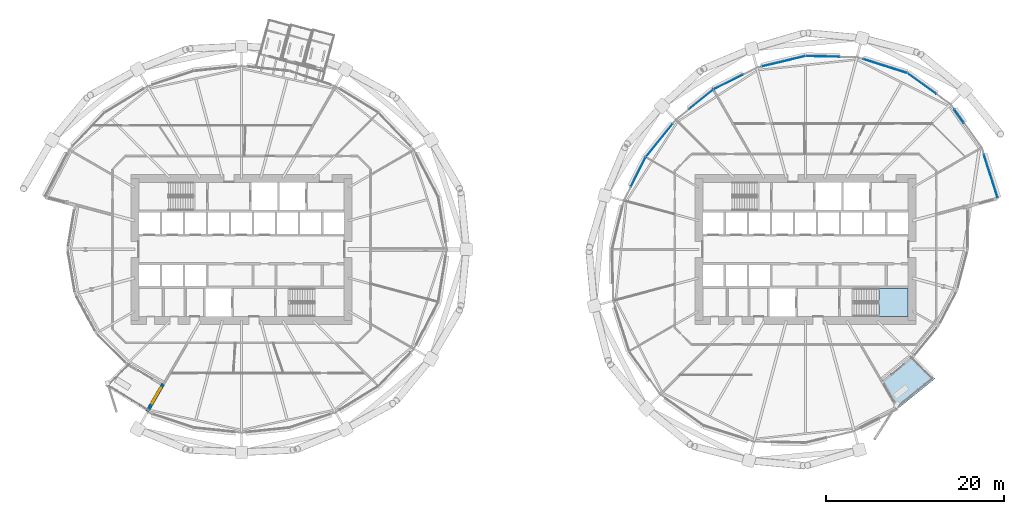
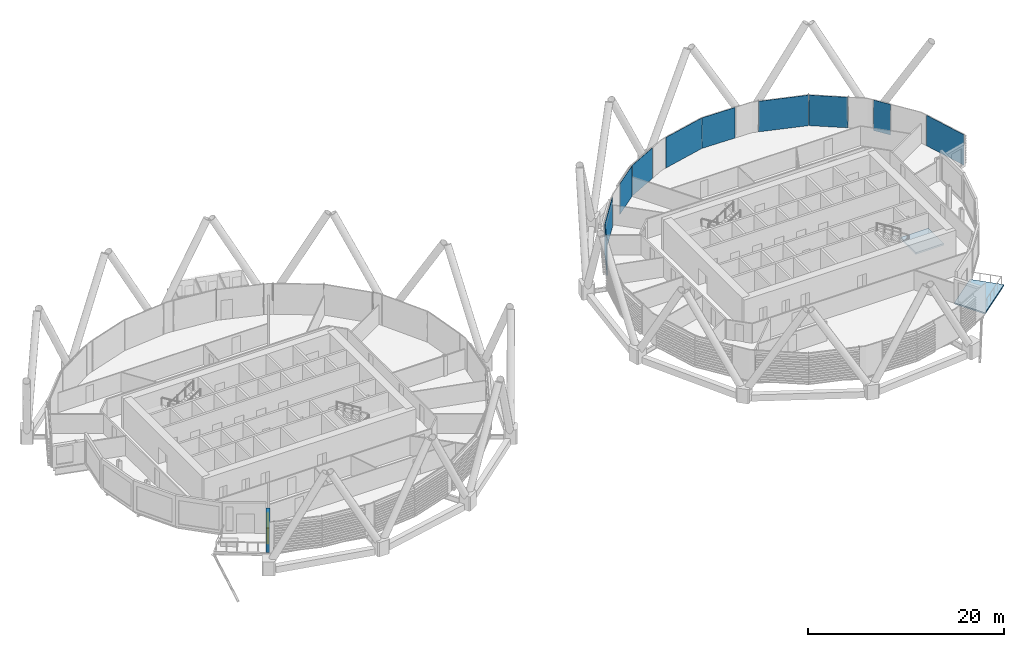
# One storey, part 23 of 40: 10 plates, 2 slabs, 1 wall, 1 window, 1 opening, 2 elements without a shape of their own.
"""IFC4 building model written with IfcOpenShell, lengths in metres."""

from ifc_helpers import new_model, si_unit, direction, frame, frame_2d, origin, origin_2d, place, context, subcontext, project, spatial, polyline, rectangle, outline, extrude, material, layer, layer_set, type_object, element, fill, aggregate, save


model = new_model("IFC4")

# Units and contexts
model_context = context("Model", 3, precision=1e-05, world=origin(), true_north=direction((0.0, 1.0)))
body_context = subcontext(model_context, "Body", "Model", "MODEL_VIEW")
ifc_project = project(units=[si_unit("LENGTHUNIT", "METRE"), si_unit("AREAUNIT", "SQUARE_METRE"), si_unit("VOLUMEUNIT", "CUBIC_METRE"), si_unit("PLANEANGLEUNIT", "RADIAN"), si_unit("MASSUNIT", "GRAM", prefix="KILO")], contexts=[model_context])

# Site, building, storey
site_placement = place(None, origin())
site = spatial("IfcSite", under=ifc_project, at=site_placement, CompositionType="ELEMENT")
building_placement = place(site_placement, origin())
building = spatial("IfcBuilding", under=site, at=building_placement, Name="Rimbun Link Towers", CompositionType="ELEMENT")
storey_placement = place(building_placement, frame((0.0, 0.0, 52.800048828125)))
storey = spatial("IfcBuildingStorey", under=building, at=storey_placement, Name="L12", CompositionType="ELEMENT", Elevation=52.800048828125)

# Curtain wall, plates
ifc_material_1 = material(Name="Aluminium 6063-T6 and low-iron glass", Category="aluminium")
curtain_wall_type = type_object("IfcCurtainWallType", Name="CW1 unitised vision wall", PredefinedType="NOTDEFINED", material=ifc_material_1)
curtain_wall_placement = place(storey_placement, origin())
curtain_wall = element("IfcCurtainWall", 1, at=curtain_wall_placement, inside=storey, type_object=curtain_wall_type, Name="CW1 L12 T2", PredefinedType="NOTDEFINED")
ifc_material_2 = material(Name="Low-iron glass, laminated low-e unit", Category="glass")
ifc_layer_1 = layer(ifc_material_2, 0.028076171875)
ifc_layer_set_1 = layer_set([ifc_layer_1], Name="CW1 panel Low-iron glass 28")
plate_type = type_object("IfcPlateType", Name="CW1 panel Low-iron glass 28", PredefinedType="CURTAIN_PANEL", material=ifc_layer_set_1)
plate_1_placement = place(storey_placement, frame((44.842041015625, 18.642578125, 0.0), z_axis=(0.0, 0.0, 1.0), x_axis=(0.812469264421, -0.583004026034, 0.0)))
plate_1 = element("IfcPlate", 2, at=plate_1_placement, type_object=plate_type, Name="CW1 panel", PredefinedType="CURTAIN_PANEL", context=body_context, shape_type="SweptSolid", body=[
    extrude(rectangle(XDim=4.010498046875, YDim=0.028076171875, at=origin_2d()), origin(), (0.0, 0.0, 1.0), 3.800048828125),
])
plate_2_placement = place(storey_placement, frame((40.701904296875, 20.617431640625, 0.0), z_axis=(0.0, 0.0, 1.0), x_axis=(0.952967205153, -0.303073433186, 0.0)))
plate_2 = element("IfcPlate", 3, at=plate_2_placement, type_object=plate_type, Name="CW1 panel", PredefinedType="CURTAIN_PANEL", context=body_context, shape_type="SweptSolid", body=[
    extrude(rectangle(XDim=5.187255859375, YDim=0.028076171875, at=origin_2d()), origin(), (0.0, 0.0, 1.0), 3.800048828125),
])
plate_3_placement = place(storey_placement, frame((33.695556640625, 21.703369140625, 0.0), z_axis=(0.0, 0.0, 1.0), x_axis=(0.999778076675, -0.02106649948, 0.0)))
plate_3 = element("IfcPlate", 4, at=plate_3_placement, type_object=plate_type, Name="CW1 panel", PredefinedType="CURTAIN_PANEL", context=body_context, shape_type="SweptSolid", body=[
    extrude(rectangle(XDim=3.85107421875, YDim=0.028076171875, at=origin_2d()), origin(), (0.0, 0.0, 1.0), 3.800048828125),
])
plate_4_placement = place(storey_placement, frame((29.2783203125, 21.153564453125, 0.0), z_axis=(0.0, 0.0, 1.0), x_axis=(0.972571724543, 0.232603182737, 0.0)))
plate_4 = element("IfcPlate", 5, at=plate_4_placement, type_object=plate_type, Name="CW1 panel", PredefinedType="CURTAIN_PANEL", context=body_context, shape_type="SweptSolid", body=[
    extrude(rectangle(XDim=5.036376953125, YDim=0.028076171875, at=origin_2d()), origin(), (0.0, 0.0, 1.0), 3.800048828125),
])
plate_5_placement = place(storey_placement, frame((23.06298828125, 18.82275390625, 0.0), z_axis=(0.0, 0.0, 1.0), x_axis=(0.893637652343, 0.448789200311, 0.0)))
plate_5 = element("IfcPlate", 6, at=plate_5_placement, type_object=plate_type, Name="CW1 panel", PredefinedType="CURTAIN_PANEL", context=body_context, shape_type="SweptSolid", body=[
    extrude(rectangle(XDim=3.7412109375, YDim=0.028076171875, at=origin_2d()), origin(), (0.0, 0.0, 1.0), 3.800048828125),
])
plate_6_placement = place(storey_placement, frame((20.01171875, 16.872314453125, 0.0), z_axis=(0.0, 0.0, 1.0), x_axis=(0.777277227517, 0.62915825639, 0.0)))
plate_6 = element("IfcPlate", 7, at=plate_6_placement, type_object=plate_type, Name="CW1 panel", PredefinedType="CURTAIN_PANEL", context=body_context, shape_type="SweptSolid", body=[
    extrude(rectangle(XDim=3.457763671875, YDim=0.028076171875, at=origin_2d()), origin(), (0.0, 0.0, 1.0), 3.800048828125),
])
plate_7_placement = place(storey_placement, frame((15.28662109375, 12.24365234375, 0.0), z_axis=(0.0, 0.0, 1.0), x_axis=(0.62915825639, 0.777277227517, 0.0)))
plate_7 = element("IfcPlate", 8, at=plate_7_placement, type_object=plate_type, Name="CW1 panel", PredefinedType="CURTAIN_PANEL", context=body_context, shape_type="SweptSolid", body=[
    extrude(rectangle(XDim=4.757568359375, YDim=0.028076171875, at=origin_2d()), origin(), (0.0, 0.0, 1.0), 3.800048828125),
])
plate_8_placement = place(storey_placement, frame((12.9384765625, 8.709228515625, 0.0), z_axis=(0.0, 0.0, 1.0), x_axis=(0.448789200311, 0.893637652343, 0.0)))
plate_8 = element("IfcPlate", 9, at=plate_8_placement, type_object=plate_type, Name="CW1 panel", PredefinedType="CURTAIN_PANEL", context=body_context, shape_type="SweptSolid", body=[
    extrude(rectangle(XDim=3.691162109375, YDim=0.028076171875, at=origin_2d()), origin(), (0.0, 0.0, 1.0), 3.800048828125),
])
plate_9_placement = place(storey_placement, frame((52.587158203125, 8.260986328125, 0.0), z_axis=(0.0, 0.0, 1.0), x_axis=(0.303073433186, -0.952967205153, 0.0)))
plate_9 = element("IfcPlate", 10, at=plate_9_placement, type_object=plate_type, Name="CW1 panel", PredefinedType="CURTAIN_PANEL", context=body_context, shape_type="SweptSolid", body=[
    extrude(rectangle(XDim=5.13720703125, YDim=0.028076171875, at=origin_2d()), origin(), (0.0, 0.0, 1.0), 3.800048828125),
])
plate_10_placement = place(storey_placement, frame((49.037109375, 14.98095703125, 0.0), z_axis=(0.0, 0.0, 1.0), x_axis=(0.583004026034, -0.812469264421, 0.0)))
plate_10 = element("IfcPlate", 11, at=plate_10_placement, type_object=plate_type, Name="CW1 panel", PredefinedType="CURTAIN_PANEL", context=body_context, shape_type="SweptSolid", body=[
    extrude(rectangle(XDim=1.8603515625, YDim=0.028076171875, at=origin_2d()), origin(), (0.0, 0.0, 1.0), 3.800048828125),
])
aggregate(curtain_wall, [plate_1, plate_2, plate_3, plate_4, plate_5, plate_6, plate_7, plate_8, plate_9, plate_10])

# Stair, slab
ifc_material_3 = material(Name="Concrete C40/50", Category="concrete")
stair_type = type_object("IfcStairType", Name="Exit stair 3800 rise", PredefinedType="HALF_TURN_STAIR", material=ifc_material_3)
stair_placement = place(storey_placement, origin())
stair = element("IfcStair", 12, at=stair_placement, inside=storey, type_object=stair_type, Name="L12 EXIT STAIR B", PredefinedType="HALF_TURN_STAIR")
ifc_material_4 = material(Name="Concrete C40/50", Category="concrete")
ifc_layer_2 = layer(ifc_material_4, 0.199951171875)
ifc_layer_set_2 = layer_set([ifc_layer_2], Name="Stair landing")
slab_type_1 = type_object("IfcSlabType", Name="Stair landing", PredefinedType="LANDING", material=ifc_layer_set_2)
slab_1_placement = place(storey_placement, frame((0.0, 0.0, 1.699951171875)))
slab_1 = element("IfcSlab", 13, at=slab_1_placement, type_object=slab_type_1, Name="ST4 landing 1", PredefinedType="LANDING", context=body_context, shape_type="SweptSolid", body=[
    extrude(outline(polyline([(40.0, -7.550048828125), (43.300048828125, -7.550048828125), (43.300048828125, -4.39990234375), (40.0, -4.39990234375), (40.0, -7.550048828125)])), origin(), (0.0, 0.0, 1.0), 0.199951171875),
])
aggregate(stair, [slab_1])

# Slab
ifc_material_5 = material(Name="Concrete C35/45", Category="concrete")
ifc_layer_3 = layer(ifc_material_5, 0.159912109375)
ifc_layer_set_3 = layer_set([ifc_layer_3], Name="TERRACE SLAB 160")
slab_type_2 = type_object("IfcSlabType", Name="TERRACE SLAB 160", PredefinedType="FLOOR", material=ifc_layer_set_3)
slab_2_placement = place(storey_placement, frame((0.0, 0.0, -0.16015625)))
element("IfcSlab", 14, at=slab_2_placement, inside=storey, type_object=slab_type_2, Name="Terrace slab T2 L12", PredefinedType="FLOOR", context=body_context, shape_type="SweptSolid", body=[
    extrude(outline(polyline([(40.3203125, -14.843994140625), (43.770263671875, -12.020263671875), (46.315673828125, -14.565673828125), (42.1201171875, -17.961669921875), (40.3203125, -14.843994140625)])), origin(), (0.0, 0.0, 1.0), 0.16015625),
])

# Wall, opening, window
ifc_material_6 = material(Name="Dark enamelled glass spandrel on insulated aluminium backpan", Category="aluminium")
ifc_layer_4 = layer(ifc_material_6, 0.3701171875)
ifc_layer_set_4 = layer_set([ifc_layer_4], Name="CS dark enamelled spandrel wall 370")
wall_type = type_object("IfcWallType", Name="CS dark enamelled spandrel wall 370", PredefinedType="STANDARD", material=ifc_layer_set_4)
wall_placement = place(storey_placement, frame((-42.3671875, -18.259765625, 0.0), z_axis=(0.0, 0.0, 1.0), x_axis=(0.499931032753, 0.866065218382, 0.0)))
wall = element("IfcWall", 15, at=wall_placement, inside=storey, type_object=wall_type, Name="Crease spandrel wall", PredefinedType="STANDARD", context=body_context, shape_type="SweptSolid", body=[
    extrude(rectangle(XDim=3.580078125, YDim=0.3701171875, at=frame_2d((1.7900390625, 0.0))), origin(), (0.0, 0.0, 1.0), 3.02734375),
])
opening_placement = place(wall_placement, frame((1.057373046875, 0.0, 0.300048828125)))
opening = element("IfcOpeningElement", 16, at=opening_placement, cuts=wall, Name="Opening WR20H245", PredefinedType="OPENING", context=body_context, shape_type="SweptSolid", body=[
    extrude(rectangle(XDim=2.0, YDim=2.449951171875, at=frame_2d((1.0, 1.22509765625))), frame((0.0, 0.195068359375, 0.0), z_axis=(0.0, -1.0, 0.0), x_axis=(1.0, 0.0, 0.0)), (0.0, 0.0, 1.0), 0.39013671875),
])
ifc_material_7 = material(Name="Aluminium framed fixed window, dark tinted low-e glass", Category="aluminium")
window_type = type_object("IfcWindowType", Name="WR ribbon window 2000X2450", PartitioningType="SINGLE_PANEL", PredefinedType="WINDOW", material=ifc_material_7)
window_placement = place(opening_placement, origin())
window = element("IfcWindow", 17, at=window_placement, inside=storey, type_object=window_type, Name="Crease ribbon window", OverallHeight=2.449951171875, OverallWidth=2.0, PartitioningType="SINGLE_PANEL", PredefinedType="WINDOW", context=body_context, shape_type="SweptSolid", body=[
    extrude(rectangle(XDim=2.0, YDim=2.449951171875, at=frame_2d((1.0, 1.22509765625))), frame((0.0, 0.030029296875, 0.0), z_axis=(0.0, -1.0, 0.0), x_axis=(1.0, 0.0, 0.0)), (0.0, 0.0, 1.0), 0.06005859375),
])
fill(opening, window)

save(model, "model.ifc")
